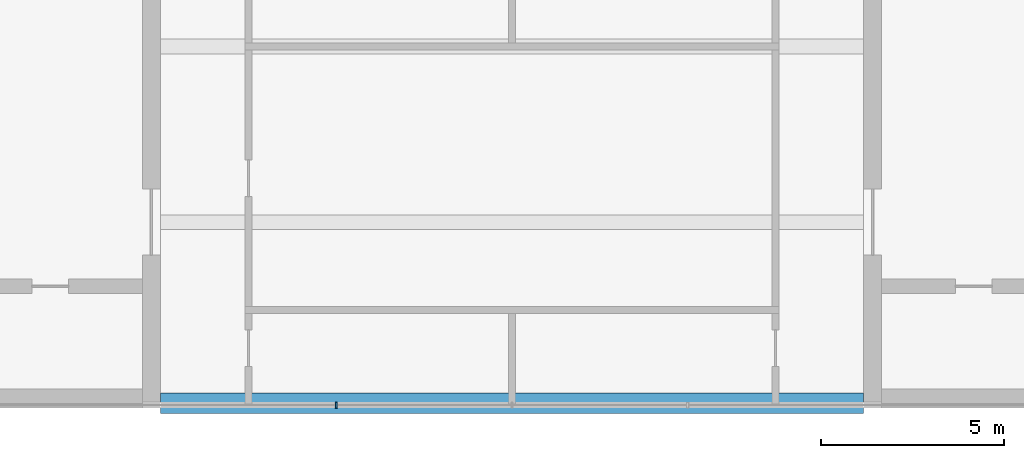
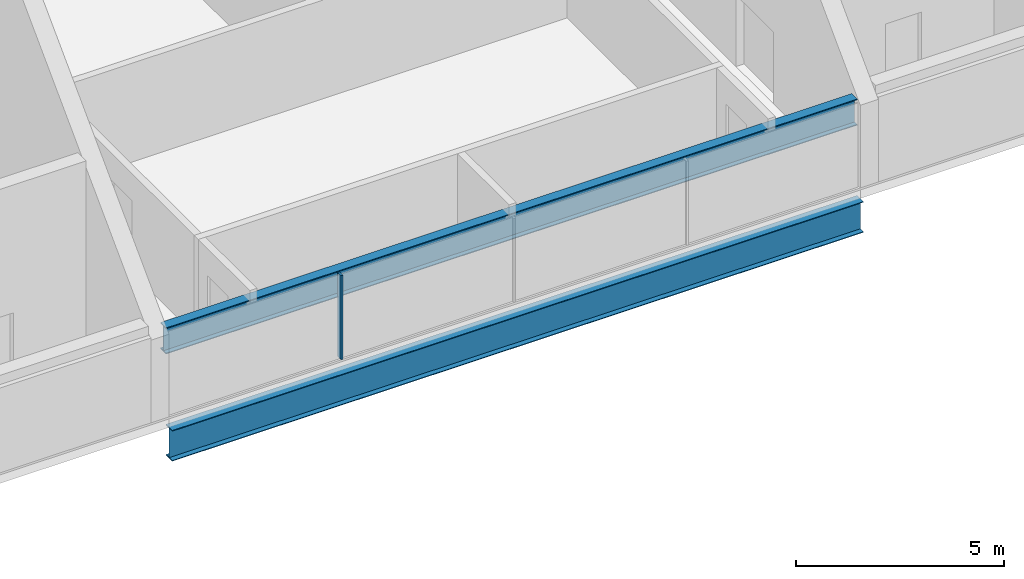
# One storey, part 2 of 12: 2 beams, 1 member, 1 element without a shape of its own.
"""IFC4 building model written with IfcOpenShell, lengths in metres."""

from ifc_helpers import new_model, si_unit, direction, frame, origin, origin_2d, place, context, subcontext, project, spatial, rectangle, i_section, extrude, material, material_profile, profile_set, type_object, element, aggregate, save


model = new_model("IFC4")

# Units and contexts
model_context = context("Model", 3, precision=1e-05, world=origin(), true_north=direction((0.0, 1.0)))
body_context = subcontext(model_context, "Body", "Model", "MODEL_VIEW")
ifc_project = project(units=[si_unit("LENGTHUNIT", "METRE"), si_unit("AREAUNIT", "SQUARE_METRE"), si_unit("VOLUMEUNIT", "CUBIC_METRE"), si_unit("PLANEANGLEUNIT", "RADIAN"), si_unit("MASSUNIT", "GRAM", prefix="KILO")], contexts=[model_context])

# Site, building, storey
site_placement = place(None, origin())
site = spatial("IfcSite", under=ifc_project, at=site_placement, CompositionType="ELEMENT")
building_placement = place(site_placement, origin())
building = spatial("IfcBuilding", under=site, at=building_placement, Name="Baori Bourse Tower", CompositionType="ELEMENT")
storey_placement = place(building_placement, frame((0.0, 0.0, 374.300048828125)))
storey = spatial("IfcBuildingStorey", under=building, at=storey_placement, Name="L84", CompositionType="ELEMENT", Elevation=374.300048828125)

# Curtain wall, member
ifc_material_1 = material(Name="Pale anodised aluminium", Category="aluminium")
curtain_wall_type = type_object("IfcCurtainWallType", Name="CW3 Curtain wall", PredefinedType="NOTDEFINED", material=ifc_material_1)
curtain_wall_placement = place(storey_placement, origin())
curtain_wall = element("IfcCurtainWall", 1, at=curtain_wall_placement, inside=storey, type_object=curtain_wall_type, Name="Curtain wall CW3 L84 1", PredefinedType="NOTDEFINED")
ifc_material_2 = material(Name="Pale anodised aluminium", Category="aluminium")
ifc_material_profile_1 = material_profile(ifc_material_2, rectangle(XDim=0.159912109375, YDim=0.050048828125, at=origin_2d()), Name="Mullion 50x160")
ifc_profile_set_1 = profile_set([ifc_material_profile_1], Name="Pale anodised aluminium")
member_type = type_object("IfcMemberType", Name="CW3 Curtain wall mullion", PredefinedType="MULLION", material=ifc_profile_set_1)
member_placement = place(storey_placement, frame((24.0, 14.203369140625, 0.06005859375), z_axis=(0.0, 0.0, 1.0), x_axis=(0.0, 1.0, 0.0)))
member = element("IfcMember", 2, at=member_placement, type_object=member_type, Name="Curtain wall CW3 mullion", PredefinedType="MULLION", context=body_context, shape_type="SweptSolid", body=[
    extrude(rectangle(XDim=0.159912109375, YDim=0.050048828125, at=origin_2d()), origin(), (0.0, 0.0, 1.0), 2.469970703125),
])
aggregate(curtain_wall, [member])

# Beams
ifc_material_3 = material(Name="Steel A992 Gr 50", Category="steel")
ifc_material_profile_2 = material_profile(ifc_material_3, i_section(OverallWidth=0.3046875, OverallDepth=0.904296875, WebThickness=0.01513671875, FlangeThickness=0.02001953125, at=origin_2d()), Name="W36x135")
ifc_profile_set_2 = profile_set([ifc_material_profile_2], Name="Steel A992 Gr 50")
beam_type_1 = type_object("IfcBeamType", Name="Edge beam W36x135", PredefinedType="BEAM", material=ifc_profile_set_2)
beam_1_placement = place(storey_placement, frame((19.199951171875, 14.12353515625, -0.7021484375), z_axis=(1.0, 0.0, 0.0), x_axis=(0.0, 1.0, 0.0)))
element("IfcBeam", 3, at=beam_1_placement, inside=storey, type_object=beam_type_1, Name="Edge beam L84", PredefinedType="BEAM", context=body_context, shape_type="SweptSolid", body=[
    extrude(i_section(OverallWidth=0.3046875, OverallDepth=0.904296875, WebThickness=0.01513671875, FlangeThickness=0.02001953125, at=origin_2d()), origin(), (0.0, 0.0, 1.0), 19.199951171875),
])
ifc_material_4 = material(Name="Steel A992 Gr 50", Category="steel")
ifc_material_profile_3 = material_profile(ifc_material_4, i_section(OverallWidth=0.2666015625, OverallDepth=0.76953125, WebThickness=0.015625, FlangeThickness=0.025390625, at=origin_2d()), Name="W30x132")
ifc_profile_set_3 = profile_set([ifc_material_profile_3], Name="Steel A992 Gr 50")
beam_type_2 = type_object("IfcBeamType", Name="Roof purlin W30x132", PredefinedType="BEAM", material=ifc_profile_set_3)
beam_2_placement = place(storey_placement, frame((19.199951171875, 14.39990234375, 2.199462890625), z_axis=(1.0, 0.0, 0.0), x_axis=(0.0, 1.0, 0.0)))
element("IfcBeam", 4, at=beam_2_placement, inside=storey, type_object=beam_type_2, Name="Roof purlin Roof", PredefinedType="BEAM", context=body_context, shape_type="SweptSolid", body=[
    extrude(i_section(OverallWidth=0.2666015625, OverallDepth=0.76953125, WebThickness=0.015625, FlangeThickness=0.025390625, at=origin_2d()), origin(), (0.0, 0.0, 1.0), 19.199951171875),
])

save(model, "model.ifc")
